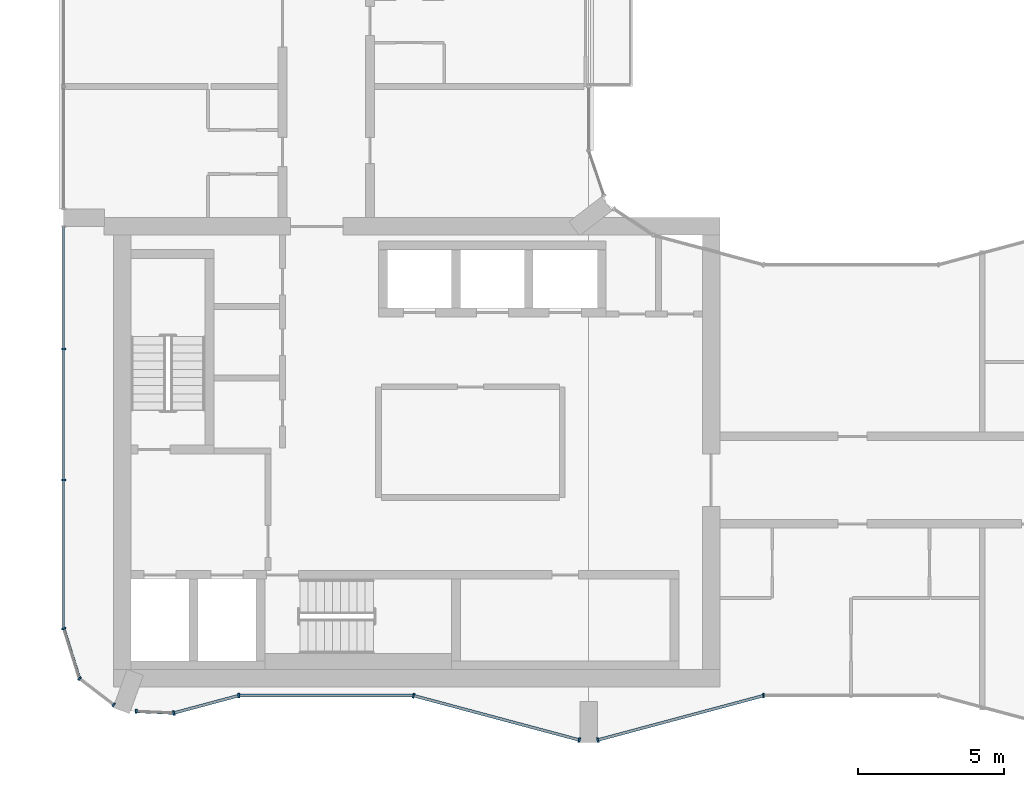
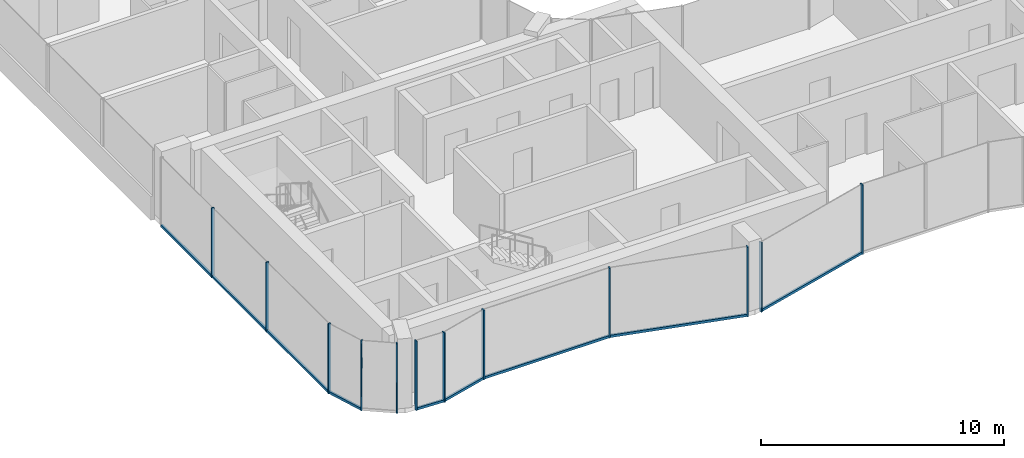
# One storey, part 2 of 15: 19 members, 9 elements without a shape of their own.
"""IFC4 building model written with IfcOpenShell, lengths in metres."""

from ifc_helpers import new_model, si_unit, direction, frame, origin, origin_2d, place, context, subcontext, project, spatial, rectangle, extrude, material, layer, layer_set, material_profile, profile_set, type_object, element, aggregate, save


model = new_model("IFC4")

# Units and contexts
model_context = context("Model", 3, precision=1e-05, world=origin(), true_north=direction((0.0, 1.0)))
body_context = subcontext(model_context, "Body", "Model", "MODEL_VIEW")
ifc_project = project(units=[si_unit("LENGTHUNIT", "METRE"), si_unit("AREAUNIT", "SQUARE_METRE"), si_unit("VOLUMEUNIT", "CUBIC_METRE"), si_unit("PLANEANGLEUNIT", "RADIAN"), si_unit("MASSUNIT", "GRAM", prefix="KILO")], contexts=[model_context])

# Site, building, storey
site_placement = place(None, origin())
site = spatial("IfcSite", under=ifc_project, at=site_placement, CompositionType="ELEMENT")
building_placement = place(site_placement, origin())
building = spatial("IfcBuilding", under=site, at=building_placement, Name="Plateau Cross Towers", CompositionType="ELEMENT")
storey_placement = place(building_placement, frame((0.0, 0.0, 149.89990234375)))
storey = spatial("IfcBuildingStorey", under=building, at=storey_placement, Name="L38", CompositionType="ELEMENT", Elevation=149.89990234375)

# Curtain wall, members
ifc_material_1 = material(Name="Dark low-iron glass", Category="glass")
ifc_layer_1 = layer(ifc_material_1, 0.239990234375)
ifc_layer_set_1 = layer_set([ifc_layer_1], Name="Dark low-iron glass")
curtain_wall_type_1 = type_object("IfcCurtainWallType", Name="Curtain wall flush unitised CW-B", PredefinedType="NOTDEFINED", material=ifc_layer_set_1)
curtain_wall_1_placement = place(storey_placement, origin())
curtain_wall_1 = element("IfcCurtainWall", 1, at=curtain_wall_1_placement, inside=storey, type_object=curtain_wall_type_1, Name="ENV/A/L38/A0_177", PredefinedType="NOTDEFINED")
ifc_material_2 = material(Name="Black anodised aluminium", Category="aluminium")
ifc_material_profile_1 = material_profile(ifc_material_2, rectangle(XDim=0.06005859375, YDim=0.139892578125, at=origin_2d()), Name="MULLION 60x140")
ifc_profile_set_1 = profile_set([ifc_material_profile_1], Name="Black anodised aluminium")
member_type_1 = type_object("IfcMemberType", Name="Mullion 60x140 flush unitised", PredefinedType="MULLION", material=ifc_profile_set_1)
member_1_placement = place(storey_placement, frame((0.0, 13.5, -0.25), z_axis=(0.0, 0.0, 1.0), x_axis=(0.0, -1.0, 0.0)))
member_1 = element("IfcMember", 2, at=member_1_placement, type_object=member_type_1, Name="CW-B mullion 2", PredefinedType="MULLION", context=body_context, shape_type="SweptSolid", body=[
    extrude(rectangle(XDim=0.06005859375, YDim=0.139892578125, at=origin_2d()), origin(), (0.0, 0.0, 1.0), 3.5),
])
member_2_placement = place(storey_placement, frame((0.0, 9.0, -0.25), z_axis=(0.0, 0.0, 1.0), x_axis=(0.0, -1.0, 0.0)))
member_2 = element("IfcMember", 3, at=member_2_placement, type_object=member_type_1, Name="CW-B mullion 3", PredefinedType="MULLION", context=body_context, shape_type="SweptSolid", body=[
    extrude(rectangle(XDim=0.06005859375, YDim=0.139892578125, at=origin_2d()), origin(), (0.0, 0.0, 1.0), 3.5),
])

# Curtain wall, member
curtain_wall_2_placement = place(storey_placement, origin())
curtain_wall_2 = element("IfcCurtainWall", 4, at=curtain_wall_2_placement, inside=storey, type_object=curtain_wall_type_1, Name="ENV/A/L38/A0_39", PredefinedType="NOTDEFINED")
member_3_placement = place(storey_placement, frame((0.0, 3.9091796875, -0.25), z_axis=(0.0, 0.0, 1.0), x_axis=(0.300686174994, -0.95372313811, 0.0)))
member_3 = element("IfcMember", 5, at=member_3_placement, type_object=member_type_1, Name="CW-B mullion 1", PredefinedType="MULLION", context=body_context, shape_type="SweptSolid", body=[
    extrude(rectangle(XDim=0.06005859375, YDim=0.139892578125, at=origin_2d()), origin(), (0.0, 0.0, 1.0), 3.5),
])

# Curtain wall, members
curtain_wall_3_placement = place(storey_placement, origin())
curtain_wall_3 = element("IfcCurtainWall", 6, at=curtain_wall_3_placement, inside=storey, type_object=curtain_wall_type_1, Name="ENV/A/L38/A5_22", PredefinedType="NOTDEFINED")
member_4_placement = place(storey_placement, frame((0.54248046875, 2.1884765625, -0.25), z_axis=(0.0, 0.0, 1.0), x_axis=(0.793315514529, -0.608810721331, 0.0)))
member_4 = element("IfcMember", 7, at=member_4_placement, type_object=member_type_1, Name="CW-B mullion 1", PredefinedType="MULLION", context=body_context, shape_type="SweptSolid", body=[
    extrude(rectangle(XDim=0.06005859375, YDim=0.139892578125, at=origin_2d()), origin(), (0.0, 0.0, 1.0), 3.5),
])
member_5_placement = place(storey_placement, frame((1.709716796875, 1.292724609375, -0.25), z_axis=(0.0, 0.0, 1.0), x_axis=(0.793315514529, -0.608810721331, 0.0)))
member_5 = element("IfcMember", 8, at=member_5_placement, type_object=member_type_1, Name="CW-B mullion 2", PredefinedType="MULLION", context=body_context, shape_type="SweptSolid", body=[
    extrude(rectangle(XDim=0.06005859375, YDim=0.139892578125, at=origin_2d()), origin(), (0.0, 0.0, 1.0), 3.5),
])
aggregate(curtain_wall_3, [member_4, member_5])

# Curtain wall, member
curtain_wall_4_placement = place(storey_placement, origin())
curtain_wall_4 = element("IfcCurtainWall", 9, at=curtain_wall_4_placement, inside=storey, type_object=curtain_wall_type_1, Name="ENV/A/L38/A25_11", PredefinedType="NOTDEFINED")
member_6_placement = place(storey_placement, frame((2.483642578125, 1.06787109375, -0.25), z_axis=(0.0, 0.0, 1.0), x_axis=(0.999043701491, -0.043722791671, 0.0)))
member_6 = element("IfcMember", 10, at=member_6_placement, type_object=member_type_1, Name="CW-B mullion 1", PredefinedType="MULLION", context=body_context, shape_type="SweptSolid", body=[
    extrude(rectangle(XDim=0.06005859375, YDim=0.139892578125, at=origin_2d()), origin(), (0.0, 0.0, 1.0), 3.5),
])

ifc_layer_2 = layer(ifc_material_1, 0.260009765625)
ifc_layer_set_2 = layer_set([ifc_layer_2], Name="Dark low-iron glass")
curtain_wall_type_2 = type_object("IfcCurtainWallType", Name="Curtain wall fluted unitised CW-A", PredefinedType="NOTDEFINED", material=ifc_layer_set_2)
curtain_wall_5_placement = place(storey_placement, origin())
curtain_wall_5 = element("IfcCurtainWall", 11, at=curtain_wall_5_placement, inside=storey, type_object=curtain_wall_type_2, Name="ENV/A/L38/A38_10", PredefinedType="NOTDEFINED")
ifc_material_profile_2 = material_profile(ifc_material_2, rectangle(XDim=0.06005859375, YDim=0.159912109375, at=origin_2d()), Name="MULLION 60x160")
ifc_profile_set_2 = profile_set([ifc_material_profile_2], Name="Black anodised aluminium")
member_type_2 = type_object("IfcMemberType", Name="Mullion 60x160 fluted unitised", PredefinedType="MULLION", material=ifc_profile_set_2)
member_7_placement = place(storey_placement, frame((3.776123046875, 1.01123046875, -0.25), z_axis=(0.0, 0.0, 1.0), x_axis=(0.965957962328, 0.258699081978, 0.0)))
member_7 = element("IfcMember", 12, at=member_7_placement, type_object=member_type_2, Name="CW-A mullion 1", PredefinedType="MULLION", context=body_context, shape_type="SweptSolid", body=[
    extrude(rectangle(XDim=0.06005859375, YDim=0.159912109375, at=origin_2d()), origin(), (0.0, 0.0, 1.0), 3.5),
])

curtain_wall_6_placement = place(storey_placement, origin())
curtain_wall_6 = element("IfcCurtainWall", 13, at=curtain_wall_6_placement, inside=storey, type_object=curtain_wall_type_2, Name="ENV/A/L38/A60_16", PredefinedType="NOTDEFINED")
member_8_placement = place(storey_placement, frame((6.0, 1.60693359375, -0.25), z_axis=(0.0, 0.0, 1.0), x_axis=(1.0, 0.0, 0.0)))
member_8 = element("IfcMember", 14, at=member_8_placement, type_object=member_type_2, Name="CW-A mullion 1", PredefinedType="MULLION", context=body_context, shape_type="SweptSolid", body=[
    extrude(rectangle(XDim=0.06005859375, YDim=0.159912109375, at=origin_2d()), origin(), (0.0, 0.0, 1.0), 3.5),
])

# Curtain wall, members
curtain_wall_7_placement = place(storey_placement, origin())
curtain_wall_7 = element("IfcCurtainWall", 15, at=curtain_wall_7_placement, inside=storey, type_object=curtain_wall_type_2, Name="ENV/A/L38/A120_16", PredefinedType="NOTDEFINED")
member_9_placement = place(storey_placement, frame((12.0, 1.60693359375, -0.25), z_axis=(0.0, 0.0, 1.0), x_axis=(0.965957983404, -0.258699003279, 0.0)))
member_9 = element("IfcMember", 16, at=member_9_placement, type_object=member_type_2, Name="CW-A mullion 1", PredefinedType="MULLION", context=body_context, shape_type="SweptSolid", body=[
    extrude(rectangle(XDim=0.06005859375, YDim=0.159912109375, at=origin_2d()), origin(), (0.0, 0.0, 1.0), 3.5),
])
member_10_placement = place(storey_placement, frame((17.68212890625, 0.085205078125, -0.25), z_axis=(0.0, 0.0, 1.0), x_axis=(0.965957983404, -0.258699003279, 0.0)))
member_10 = element("IfcMember", 17, at=member_10_placement, type_object=member_type_2, Name="CW-A mullion 2", PredefinedType="MULLION", context=body_context, shape_type="SweptSolid", body=[
    extrude(rectangle(XDim=0.06005859375, YDim=0.159912109375, at=origin_2d()), origin(), (0.0, 0.0, 1.0), 3.5),
])

# Curtain wall, member
curtain_wall_8_placement = place(storey_placement, origin())
curtain_wall_8 = element("IfcCurtainWall", 18, at=curtain_wall_8_placement, inside=storey, type_object=curtain_wall_type_2, Name="ENV/A/L38/A183_1", PredefinedType="NOTDEFINED")
member_11_placement = place(storey_placement, frame((18.31787109375, 0.085205078125, -0.25), z_axis=(0.0, 0.0, 1.0), x_axis=(0.965957983404, 0.258699003279, 0.0)))
member_11 = element("IfcMember", 19, at=member_11_placement, type_object=member_type_2, Name="CW-A mullion 1", PredefinedType="MULLION", context=body_context, shape_type="SweptSolid", body=[
    extrude(rectangle(XDim=0.06005859375, YDim=0.159912109375, at=origin_2d()), origin(), (0.0, 0.0, 1.0), 3.5),
])

curtain_wall_9_placement = place(storey_placement, origin())
curtain_wall_9 = element("IfcCurtainWall", 20, at=curtain_wall_9_placement, inside=storey, type_object=curtain_wall_type_2, Name="ENV/A/L38/A240_16", PredefinedType="NOTDEFINED")
member_12_placement = place(storey_placement, frame((24.0, 1.60693359375, -0.25), z_axis=(0.0, 0.0, 1.0), x_axis=(1.0, 0.0, 0.0)))
member_12 = element("IfcMember", 21, at=member_12_placement, type_object=member_type_2, Name="CW-A mullion 1", PredefinedType="MULLION", context=body_context, shape_type="SweptSolid", body=[
    extrude(rectangle(XDim=0.06005859375, YDim=0.159912109375, at=origin_2d()), origin(), (0.0, 0.0, 1.0), 3.5),
])
aggregate(curtain_wall_9, [member_12])

# Member
ifc_material_profile_3 = material_profile(ifc_material_2, rectangle(XDim=0.10009765625, YDim=0.1201171875, at=origin_2d()), Name="TRANSOM 100x120")
ifc_profile_set_3 = profile_set([ifc_material_profile_3], Name="Black anodised aluminium")
member_type_3 = type_object("IfcMemberType", Name="Transom 100x120 flush unitised", PredefinedType="USERDEFINED", material=ifc_profile_set_3)
member_13_placement = place(storey_placement, frame((0.0, 17.699951171875, -0.18994140625), z_axis=(0.0, -1.0, 0.0), x_axis=(1.0, 0.0, 0.0)))
member_13 = element("IfcMember", 22, at=member_13_placement, type_object=member_type_3, Name="CW-B transom", ObjectType="TRANSOM", PredefinedType="USERDEFINED", context=body_context, shape_type="SweptSolid", body=[
    extrude(rectangle(XDim=0.10009765625, YDim=0.1201171875, at=origin_2d()), origin(), (0.0, 0.0, 1.0), 13.790771484375),
])

aggregate(curtain_wall_1, [member_1, member_2, member_13])

member_14_placement = place(storey_placement, frame((0.0, 3.9091796875, -0.18994140625), z_axis=(0.30067799945, -0.953725715626, 0.0), x_axis=(0.953725715626, 0.30067799945, 0.0)))
member_14 = element("IfcMember", 23, at=member_14_placement, type_object=member_type_3, Name="CW-B transom", ObjectType="TRANSOM", PredefinedType="USERDEFINED", context=body_context, shape_type="SweptSolid", body=[
    extrude(rectangle(XDim=0.10009765625, YDim=0.1201171875, at=origin_2d()), origin(), (0.0, 0.0, 1.0), 1.80419921875),
])

aggregate(curtain_wall_2, [member_3, member_14])

member_15_placement = place(storey_placement, frame((2.483642578125, 1.06787109375, -0.18994140625), z_axis=(0.999041144614, -0.043781175963, 0.0), x_axis=(0.043781175963, 0.999041144614, 0.0)))
member_15 = element("IfcMember", 24, at=member_15_placement, type_object=member_type_3, Name="CW-B transom", ObjectType="TRANSOM", PredefinedType="USERDEFINED", context=body_context, shape_type="SweptSolid", body=[
    extrude(rectangle(XDim=0.10009765625, YDim=0.1201171875, at=origin_2d()), origin(), (0.0, 0.0, 1.0), 1.293701171875),
])

aggregate(curtain_wall_4, [member_6, member_15])

ifc_material_profile_4 = material_profile(ifc_material_2, rectangle(XDim=0.10009765625, YDim=0.1201171875, at=origin_2d()), Name="TRANSOM 100x120")
ifc_profile_set_4 = profile_set([ifc_material_profile_4], Name="Black anodised aluminium")
member_type_4 = type_object("IfcMemberType", Name="Transom 100x120 fluted unitised", PredefinedType="USERDEFINED", material=ifc_profile_set_4)
member_16_placement = place(storey_placement, frame((3.776123046875, 1.01123046875, -0.18994140625), z_axis=(0.965945685136, 0.258744919501, 0.0), x_axis=(-0.258744919501, 0.965945685136, 0.0)))
member_16 = element("IfcMember", 25, at=member_16_placement, type_object=member_type_4, Name="CW-A transom", ObjectType="TRANSOM", PredefinedType="USERDEFINED", context=body_context, shape_type="SweptSolid", body=[
    extrude(rectangle(XDim=0.10009765625, YDim=0.1201171875, at=origin_2d()), origin(), (0.0, 0.0, 1.0), 2.30224609375),
])

aggregate(curtain_wall_5, [member_7, member_16])

member_17_placement = place(storey_placement, frame((6.0, 1.60693359375, -0.18994140625), z_axis=(1.0, 0.0, 0.0), x_axis=(0.0, 1.0, 0.0)))
member_17 = element("IfcMember", 26, at=member_17_placement, type_object=member_type_4, Name="CW-A transom", ObjectType="TRANSOM", PredefinedType="USERDEFINED", context=body_context, shape_type="SweptSolid", body=[
    extrude(rectangle(XDim=0.10009765625, YDim=0.1201171875, at=origin_2d()), origin(), (0.0, 0.0, 1.0), 6.0),
])

aggregate(curtain_wall_6, [member_8, member_17])

member_18_placement = place(storey_placement, frame((12.0, 1.60693359375, -0.18994140625), z_axis=(0.965959534794, -0.258693210465, 0.0), x_axis=(0.258693210465, 0.965959534794, 0.0)))
member_18 = element("IfcMember", 27, at=member_18_placement, type_object=member_type_4, Name="CW-A transom", ObjectType="TRANSOM", PredefinedType="USERDEFINED", context=body_context, shape_type="SweptSolid", body=[
    extrude(rectangle(XDim=0.10009765625, YDim=0.1201171875, at=origin_2d()), origin(), (0.0, 0.0, 1.0), 5.88232421875),
])

aggregate(curtain_wall_7, [member_9, member_10, member_18])

member_19_placement = place(storey_placement, frame((18.31787109375, 0.085205078125, -0.18994140625), z_axis=(0.965959534794, 0.258693210465, 0.0), x_axis=(-0.258693210465, 0.965959534794, 0.0)))
member_19 = element("IfcMember", 28, at=member_19_placement, type_object=member_type_4, Name="CW-A transom", ObjectType="TRANSOM", PredefinedType="USERDEFINED", context=body_context, shape_type="SweptSolid", body=[
    extrude(rectangle(XDim=0.10009765625, YDim=0.1201171875, at=origin_2d()), origin(), (0.0, 0.0, 1.0), 5.88232421875),
])

aggregate(curtain_wall_8, [member_11, member_19])

save(model, "model.ifc")
